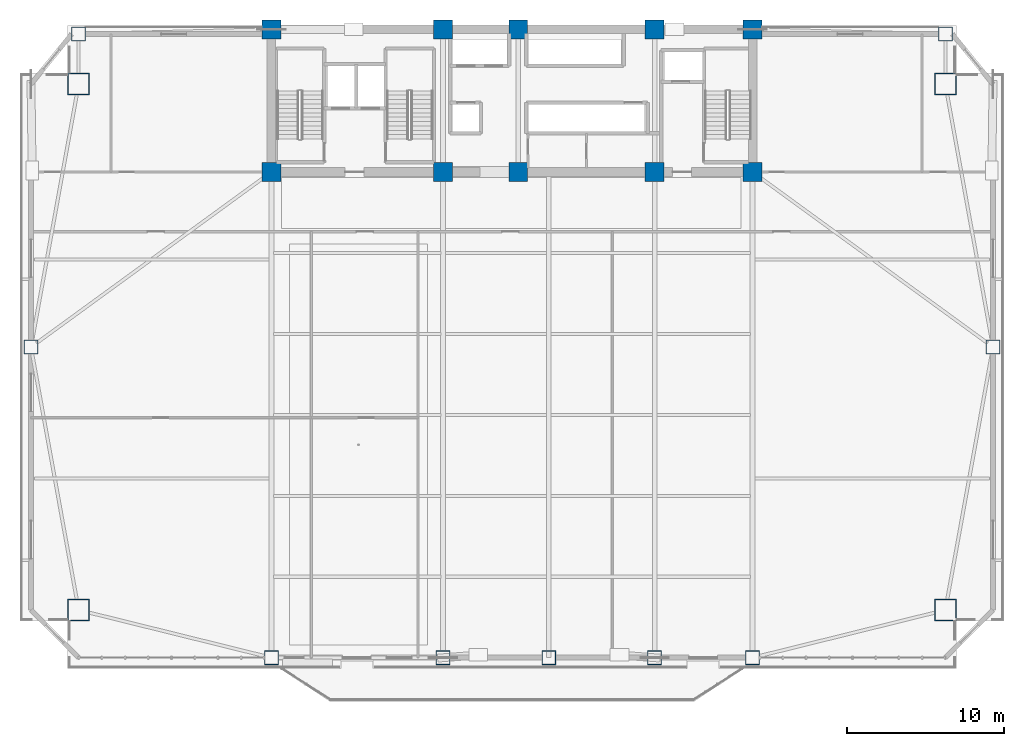
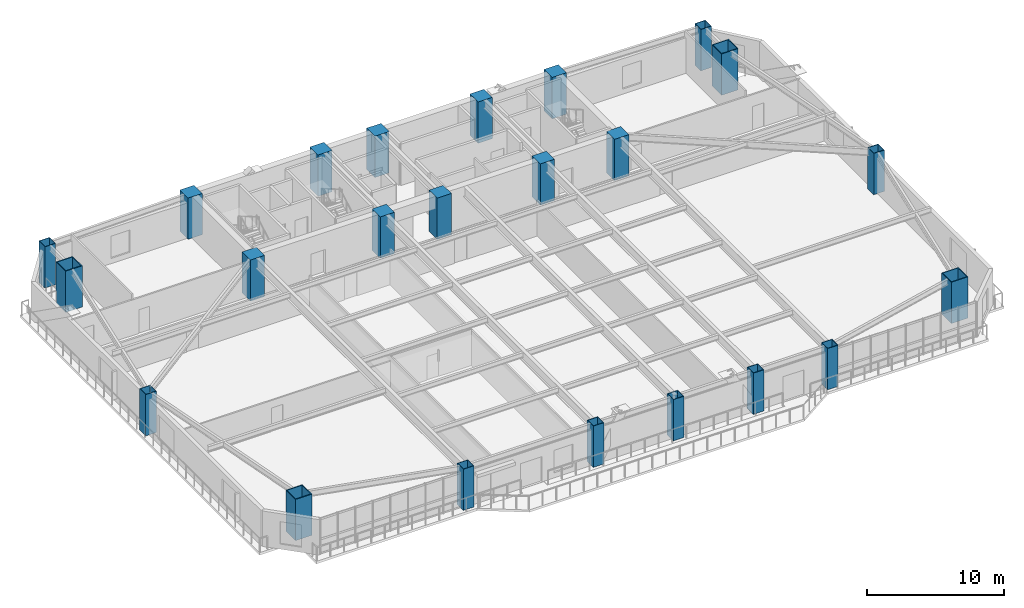
# One storey, part 1 of 15: 23 columns.
"""IFC4 building model written with IfcOpenShell, lengths in metres."""

from ifc_helpers import new_model, si_unit, direction, frame, origin, origin_2d, place, context, subcontext, project, spatial, rectangle, hollow_rectangle, extrude, source, transform, mapped, material, material_profile, profile_set, type_object, element, save


model = new_model("IFC4")

# Units and contexts
model_context = context("Model", 3, precision=1e-05, world=origin(), true_north=direction((0.0, 1.0)))
body_context = subcontext(model_context, "Body", "Model", "MODEL_VIEW")
ifc_project = project(units=[si_unit("LENGTHUNIT", "METRE"), si_unit("AREAUNIT", "SQUARE_METRE"), si_unit("VOLUMEUNIT", "CUBIC_METRE"), si_unit("PLANEANGLEUNIT", "RADIAN"), si_unit("MASSUNIT", "GRAM", prefix="KILO")], contexts=[model_context])

# Site, building, storey
site_placement = place(None, origin())
site = spatial("IfcSite", under=ifc_project, at=site_placement, CompositionType="ELEMENT")
building_placement = place(site_placement, origin())
building = spatial("IfcBuilding", under=site, at=building_placement, Name="Giltprow Tower", CompositionType="ELEMENT")
storey_placement = place(building_placement, frame((0.0, 0.0, 99.699951171875)))
storey = spatial("IfcBuildingStorey", under=building, at=storey_placement, Name="L24", CompositionType="ELEMENT", Elevation=99.699951171875)

# Columns
ifc_material_1 = material(Name="Concrete C60", Category="concrete")
ifc_material_profile_1 = material_profile(ifc_material_1, rectangle(XDim=1.199951171875, YDim=1.199951171875, at=origin_2d()), Name="RC 1200x1200")
ifc_profile_set_1 = profile_set([ifc_material_profile_1], Name="Concrete C60")
column_type_1 = type_object("IfcColumnType", Name="PIL-RC-1200-C60", PredefinedType="PILASTER", material=ifc_profile_set_1)
shared_shape_1 = source(origin(), body_context, "Body", "SweptSolid", [
    extrude(rectangle(XDim=1.199951171875, YDim=1.199951171875, at=origin_2d()), origin(), (0.0, 0.0, 1.0), 3.679931640625),
])
for number, where, z_axis, x_axis, name in (
    (1, (19.85009765625, 37.449951171875, 0.0), (0.0, 0.0, 1.0), (1.0, 0.0, 0.0), "L24 Core Boundary Pilaster 1-1"),
    (2, (19.85009765625, 46.550048828125, 0.0), (0.0, 0.0, 1.0), (1.0, 0.0, 0.0), "L24 Core Boundary Pilaster 1-2"),
    (3, (30.800048828125, 37.449951171875, 0.0), (0.0, 0.0, 1.0), (1.0, 0.0, 0.0), "L24 Core Boundary Pilaster 2-1"),
    (4, (30.800048828125, 46.550048828125, 0.0), (0.0, 0.0, 1.0), (1.0, 0.0, 0.0), "L24 Core Boundary Pilaster 2-2"),
    (5, (35.60009765625, 37.449951171875, 0.0), (0.0, 0.0, 1.0), (1.0, 0.0, 0.0), "L24 Core Boundary Pilaster 3-1"),
    (6, (35.60009765625, 46.550048828125, 0.0), (0.0, 0.0, 1.0), (1.0, 0.0, 0.0), "L24 Core Boundary Pilaster 3-2"),
    (7, (44.300048828125, 37.449951171875, 0.0), (0.0, 0.0, 1.0), (1.0, 0.0, 0.0), "L24 Core Boundary Pilaster 4-1"),
    (8, (44.300048828125, 46.550048828125, 0.0), (0.0, 0.0, 1.0), (1.0, 0.0, 0.0), "L24 Core Boundary Pilaster 4-2"),
    (9, (50.550048828125, 37.449951171875, 0.0), (0.0, 0.0, 1.0), (1.0, 0.0, 0.0), "L24 Core Boundary Pilaster 5-1"),
    (10, (50.550048828125, 46.550048828125, 0.0), (0.0, 0.0, 1.0), (1.0, 0.0, 0.0), "L24 Core Boundary Pilaster 5-2"),
):
    element("IfcColumn", number, at=place(storey_placement, frame(where, z_axis=z_axis, x_axis=x_axis)), inside=storey, type_object=column_type_1, Name=name, PredefinedType="PILASTER", context=body_context, shape_type="MappedRepresentation", body=[
        mapped(shared_shape_1, transform((0.0, 0.0, 0.0), x_axis=(1.0, 0.0, 0.0), y_axis=(0.0, 1.0, 0.0), z_axis=(0.0, 0.0, 1.0), scale=1.0)),
    ])
ifc_material_2 = material(Name="Structural steel Q420GJC", Category="steel")
ifc_material_profile_2 = material_profile(ifc_material_2, hollow_rectangle(XDim=1.39990234375, YDim=1.39990234375, WallThickness=0.06494140625, at=origin_2d()), Name="BOX 1400x1400x65")
ifc_profile_set_2 = profile_set([ifc_material_profile_2], Name="Structural steel Q420GJC")
column_type_2 = type_object("IfcColumnType", Name="COL-BOX-1400x1400x65", PredefinedType="COLUMN", material=ifc_profile_set_2)
shared_shape_2 = source(origin(), body_context, "Body", "SweptSolid", [
    extrude(hollow_rectangle(XDim=1.39990234375, YDim=1.39990234375, WallThickness=0.06494140625, at=origin_2d()), origin(), (0.0, 0.0, 1.0), 3.679931640625),
])
for number, where, z_axis, x_axis, name in (
    (11, (7.552978515625, 9.5048828125, 0.0), (0.0, 0.0, 1.0), (1.0, 0.0, 0.0), "L24 Mega-Column MC_SW"),
    (12, (62.847900390625, 9.5048828125, 0.0), (0.0, 0.0, 1.0), (1.0, 0.0, 0.0), "L24 Mega-Column MC_SE"),
    (13, (7.552978515625, 43.055908203125, 0.0), (0.0, 0.0, 1.0), (1.0, 0.0, 0.0), "L24 Mega-Column MC_NW"),
    (14, (62.847900390625, 43.055908203125, 0.0), (0.0, 0.0, 1.0), (1.0, 0.0, 0.0), "L24 Mega-Column MC_NE"),
):
    element("IfcColumn", number, at=place(storey_placement, frame(where, z_axis=z_axis, x_axis=x_axis)), inside=storey, type_object=column_type_2, Name=name, PredefinedType="COLUMN", context=body_context, shape_type="MappedRepresentation", body=[
        mapped(shared_shape_2, transform((0.0, 0.0, 0.0), x_axis=(1.0, 0.0, 0.0), y_axis=(0.0, 1.0, 0.0), z_axis=(0.0, 0.0, 1.0), scale=1.0)),
    ])
ifc_material_profile_3 = material_profile(ifc_material_2, hollow_rectangle(XDim=0.89990234375, YDim=0.89990234375, WallThickness=0.0400390625, at=origin_2d()), Name="BOX 900x900x40")
ifc_profile_set_3 = profile_set([ifc_material_profile_3], Name="Structural steel Q420GJC")
column_type_3 = type_object("IfcColumnType", Name="COL-BOX-900x900x40", PredefinedType="COLUMN", material=ifc_profile_set_3)
shared_shape_3 = source(origin(), body_context, "Body", "SweptSolid", [
    extrude(hollow_rectangle(XDim=0.89990234375, YDim=0.89990234375, WallThickness=0.0400390625, at=origin_2d()), origin(), (0.0, 0.0, 1.0), 3.679931640625),
])
for number, where, z_axis, x_axis, name in (
    (15, (19.85009765625, 6.4619140625, 0.0), (0.0, 0.0, 1.0), (1.0, 0.0, 0.0), "L24 Perimeter Column S1"),
    (16, (30.800048828125, 6.4619140625, 0.0), (0.0, 0.0, 1.0), (1.0, 0.0, 0.0), "L24 Perimeter Column S2"),
    (17, (37.550048828125, 6.4619140625, 0.0), (0.0, 0.0, 1.0), (1.0, 0.0, 0.0), "L24 Perimeter Column S_MID"),
    (18, (44.300048828125, 6.4619140625, 0.0), (0.0, 0.0, 1.0), (1.0, 0.0, 0.0), "L24 Perimeter Column S3"),
    (19, (50.550048828125, 6.4619140625, 0.0), (0.0, 0.0, 1.0), (1.0, 0.0, 0.0), "L24 Perimeter Column S4"),
    (20, (4.510009765625, 26.280029296875, 0.0), (0.0, 0.0, 1.0), (1.0, 0.0, 0.0), "L24 Perimeter Column W_MID"),
    (21, (65.89111328125, 26.280029296875, 0.0), (0.0, 0.0, 1.0), (1.0, 0.0, 0.0), "L24 Perimeter Column E_MID"),
    (22, (7.552978515625, 46.25, 0.0), (0.0, 0.0, 1.0), (1.0, 0.0, 0.0), "L24 Perimeter Column N_W"),
    (23, (62.847900390625, 46.25, 0.0), (0.0, 0.0, 1.0), (1.0, 0.0, 0.0), "L24 Perimeter Column N_E"),
):
    element("IfcColumn", number, at=place(storey_placement, frame(where, z_axis=z_axis, x_axis=x_axis)), inside=storey, type_object=column_type_3, Name=name, PredefinedType="COLUMN", context=body_context, shape_type="MappedRepresentation", body=[
        mapped(shared_shape_3, transform((0.0, 0.0, 0.0), x_axis=(1.0, 0.0, 0.0), y_axis=(0.0, 1.0, 0.0), z_axis=(0.0, 0.0, 1.0), scale=1.0)),
    ])

save(model, "model.ifc")
